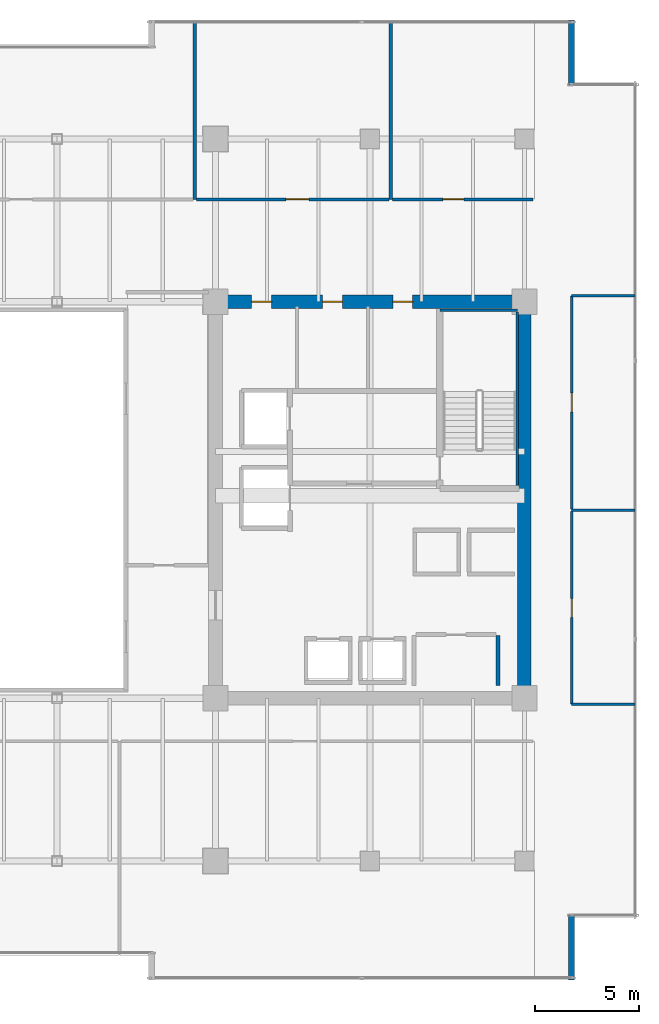
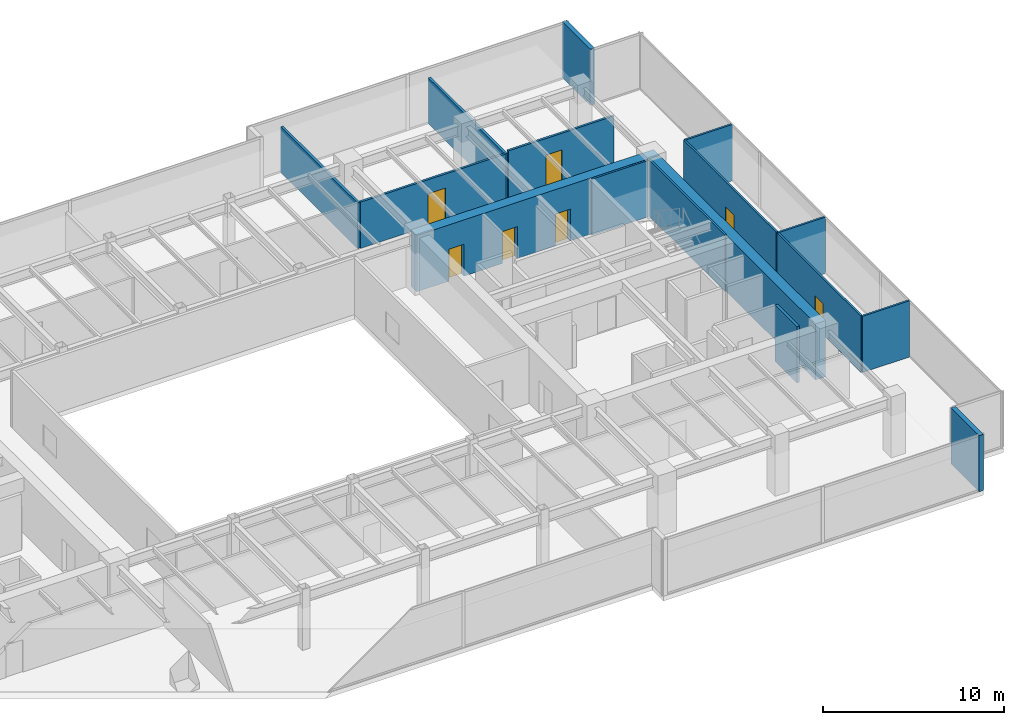
# One storey, part 28 of 33: 16 walls, 7 doors, 7 openings.
"""IFC4 building model written with IfcOpenShell, lengths in metres."""

from ifc_helpers import new_model, si_unit, direction, frame, frame_2d, origin, place, context, subcontext, project, spatial, rectangle, extrude, source, transform, mapped, material, layer, layer_set, type_object, type_shapes, element, fill, save


model = new_model("IFC4")

# Units and contexts
model_context = context("Model", 3, precision=1e-05, world=origin(), true_north=direction((0.0, 1.0)))
body_context = subcontext(model_context, "Body", "Model", "MODEL_VIEW")
ifc_project = project(units=[si_unit("LENGTHUNIT", "METRE"), si_unit("AREAUNIT", "SQUARE_METRE"), si_unit("VOLUMEUNIT", "CUBIC_METRE"), si_unit("PLANEANGLEUNIT", "RADIAN"), si_unit("MASSUNIT", "GRAM", prefix="KILO")], contexts=[model_context])

# Site, building, storey
site_placement = place(None, origin())
site = spatial("IfcSite", under=ifc_project, at=site_placement, CompositionType="ELEMENT")
building_placement = place(site_placement, origin())
building = spatial("IfcBuilding", under=site, at=building_placement, Name="Haelvirn Gate Laboratories", CompositionType="ELEMENT")
storey_placement = place(building_placement, frame((0.0, 0.0, 133.800048828125)))
storey = spatial("IfcBuildingStorey", under=building, at=storey_placement, Name="L32", CompositionType="ELEMENT", Elevation=133.800048828125)

# Walls
ifc_material_1 = material(Name="Thermally-broken bronze aluminium rainscreen & mineral wool", Category="aluminium")
ifc_layer_1 = layer(ifc_material_1, 0.280029296875, Name="EW-TERR-280")
ifc_layer_set_1 = layer_set([ifc_layer_1], Name="Thermally-broken bronze aluminium rainscreen & mineral wool")
wall_type_1 = type_object("IfcWallType", Name="EW-TERR-280", PredefinedType="STANDARD", material=ifc_layer_set_1)
wall_1_placement = place(storey_placement, frame((69.659912109375, 1.300048828125, 0.0), z_axis=(0.0, 0.0, 1.0), x_axis=(0.0, 1.0, 0.0)))
element("IfcWall", 1, at=wall_1_placement, inside=storey, type_object=wall_type_1, Name="L32 Atrium Recess Bronze Return Wall 05", PredefinedType="STANDARD", context=body_context, shape_type="SweptSolid", body=[
    extrude(rectangle(XDim=3.087890625, YDim=0.280029296875, at=frame_2d((1.5439453125, 0.0))), origin(), (0.0, 0.0, 1.0), 3.7900390625),
])
wall_2_placement = place(storey_placement, frame((69.659912109375, 44.2119140625, 0.0), z_axis=(0.0, 0.0, 1.0), x_axis=(0.0, 1.0, 0.0)))
element("IfcWall", 2, at=wall_2_placement, inside=storey, type_object=wall_type_1, Name="L32 Atrium Recess Bronze Return Wall 09", PredefinedType="STANDARD", context=body_context, shape_type="SweptSolid", body=[
    extrude(rectangle(XDim=3.088134765625, YDim=0.280029296875, at=frame_2d((1.5439453125, 0.0))), origin(), (0.0, 0.0, 1.0), 3.7900390625),
])
ifc_material_2 = material(Name="Double-layer acoustic gypsum laboratory partition", Category="gypsum")
ifc_layer_2 = layer(ifc_material_2, 0.159912109375, Name="IW-ACOUST-160")
ifc_layer_set_2 = layer_set([ifc_layer_2], Name="Double-layer acoustic gypsum laboratory partition")
wall_type_2 = type_object("IfcWallType", Name="IW-ACOUST-160", PredefinedType="PARTITIONING", material=ifc_layer_set_2)
for number, where, z_axis, x_axis, name in (
    (3, (51.60009765625, 38.705078125, 0.0), (0.0, 0.0, 1.0), (0.0, 1.0, 0.0), "L32 Interior Wall IW-L32-NDIV-04"),
    (4, (61.0, 38.705078125, 0.0), (0.0, 0.0, 1.0), (0.0, 1.0, 0.0), "L32 Interior Wall IW-L32-NDIV-05"),
):
    element("IfcWall", number, at=place(storey_placement, frame(where, z_axis=z_axis, x_axis=x_axis)), inside=storey, type_object=wall_type_2, Name=name, PredefinedType="PARTITIONING", context=body_context, shape_type="SweptSolid", body=[
        extrude(rectangle(XDim=8.48486328125, YDim=0.159912109375, at=frame_2d((4.242431640625, 0.0))), origin(), (0.0, 0.0, 1.0), 3.074951171875),
    ])
ifc_material_3 = material(Name="Lightweight acoustic gypsum board partition", Category="gypsum")
ifc_layer_3 = layer(ifc_material_3, 0.1201171875, Name="IW-PART-120")
ifc_layer_set_3 = layer_set([ifc_layer_3], Name="Lightweight acoustic gypsum board partition")
wall_type_3 = type_object("IfcWallType", Name="IW-PART-120", PredefinedType="PARTITIONING", material=ifc_layer_set_3)
for number, where, z_axis, x_axis, name in (
    (5, (69.669921875, 14.514892578125, 0.0), (0.0, 0.0, 1.0), (1.0, 0.0, 0.0), "L32 Interior Wall IW-L32-ECAP-S"),
    (6, (69.669921875, 34.0849609375, 0.0), (0.0, 0.0, 1.0), (1.0, 0.0, 0.0), "L32 Interior Wall IW-L32-ECAP-N"),
):
    element("IfcWall", number, at=place(storey_placement, frame(where, z_axis=z_axis, x_axis=x_axis)), inside=storey, type_object=wall_type_3, Name=name, PredefinedType="PARTITIONING", context=body_context, shape_type="SweptSolid", body=[
        extrude(rectangle(XDim=3.02001953125, YDim=0.1201171875, at=frame_2d((1.510009765625, 0.0))), origin(), (0.0, 0.0, 1.0), 3.7900390625),
    ])

# Wall, opening, door
wall_3_placement = place(storey_placement, frame((69.669921875, 14.514892578125, 0.0), z_axis=(0.0, 0.0, 1.0), x_axis=(0.0, 1.0, 0.0)))
wall_3 = element("IfcWall", 7, at=wall_3_placement, inside=storey, type_object=wall_type_3, Name="L32 Interior Wall IW-L32-EPASS-01", PredefinedType="PARTITIONING", context=body_context, shape_type="SweptSolid", body=[
    extrude(rectangle(XDim=9.22509765625, YDim=0.1201171875, at=frame_2d((4.612548828125, 0.0))), origin(), (0.0, 0.0, 1.0), 3.7900390625),
])
opening_1_placement = place(wall_3_placement, frame((4.16259765625, 0.0, 0.0)))
opening_1 = element("IfcOpeningElement", 8, at=opening_1_placement, cuts=wall_3, Name="Opening D4", PredefinedType="OPENING", context=body_context, shape_type="SweptSolid", body=[
    extrude(rectangle(XDim=0.89990234375, YDim=2.10009765625, at=frame_2d((0.449951171875, 1.050048828125))), frame((0.0, 0.070068359375, 0.0), z_axis=(0.0, -1.0, 0.0), x_axis=(1.0, 0.0, 0.0)), (0.0, 0.0, 1.0), 0.14013671875),
])
ifc_material_4 = material(Name="Glazed aluminium-framed write-up door", Category="aluminium")
door_type_1 = type_object("IfcDoorType", Name="DR-OFF-900", OperationType="NOTDEFINED", PredefinedType="DOOR", material=ifc_material_4)
shared_shape_1 = source(origin(), body_context, "Body", "SweptSolid", [
    extrude(rectangle(XDim=0.89990234375, YDim=2.10009765625, at=frame_2d((0.449951171875, 1.050048828125))), frame((0.0, 0.02490234375, 0.0), z_axis=(0.0, -1.0, 0.0), x_axis=(1.0, 0.0, 0.0)), (0.0, 0.0, 1.0), 0.050048828125),
])
type_shapes(door_type_1, [shared_shape_1])
door_1_placement = place(opening_1_placement, origin())
door_1 = element("IfcDoor", 9, at=door_1_placement, inside=storey, type_object=door_type_1, Name="L32 Bioprocess Foundry Laboratory Door E1", OperationType="SINGLE_SWING_LEFT", OverallHeight=2.10009765625, OverallWidth=0.89990234375, PredefinedType="DOOR", context=body_context, shape_type="MappedRepresentation", body=[
    mapped(shared_shape_1, transform((0.0, 0.0, 0.0), scale=1.0)),
])
fill(opening_1, door_1)

# Wall
wall_4_placement = place(storey_placement, frame((69.669921875, 23.800048828125, 0.0), z_axis=(0.0, 0.0, 1.0), x_axis=(1.0, 0.0, 0.0)))
element("IfcWall", 10, at=wall_4_placement, inside=storey, type_object=wall_type_3, Name="L32 Interior Wall IW-L32-EDIV-01", PredefinedType="PARTITIONING", context=body_context, shape_type="SweptSolid", body=[
    extrude(rectangle(XDim=3.02001953125, YDim=0.1201171875, at=frame_2d((1.510009765625, 0.0))), origin(), (0.0, 0.0, 1.0), 3.7900390625),
])

# Wall, opening, door
wall_5_placement = place(storey_placement, frame((69.669921875, 23.860107421875, 0.0), z_axis=(0.0, 0.0, 1.0), x_axis=(0.0, 1.0, 0.0)))
wall_5 = element("IfcWall", 11, at=wall_5_placement, inside=storey, type_object=wall_type_3, Name="L32 Interior Wall IW-L32-EPASS-02", PredefinedType="PARTITIONING", context=body_context, shape_type="SweptSolid", body=[
    extrude(rectangle(XDim=10.224853515625, YDim=0.1201171875, at=frame_2d((5.1123046875, 0.0))), origin(), (0.0, 0.0, 1.0), 3.7900390625),
])
opening_2_placement = place(wall_5_placement, frame((4.66259765625, 0.0, 0.0)))
opening_2 = element("IfcOpeningElement", 12, at=opening_2_placement, cuts=wall_5, Name="Opening D4", PredefinedType="OPENING", context=body_context, shape_type="SweptSolid", body=[
    extrude(rectangle(XDim=0.89990234375, YDim=2.10009765625, at=frame_2d((0.449951171875, 1.050048828125))), frame((0.0, 0.070068359375, 0.0), z_axis=(0.0, -1.0, 0.0), x_axis=(1.0, 0.0, 0.0)), (0.0, 0.0, 1.0), 0.14013671875),
])
door_2_placement = place(opening_2_placement, origin())
door_2 = element("IfcDoor", 13, at=door_2_placement, inside=storey, type_object=door_type_1, Name="L32 Genomics Assay Laboratory Door E2", OperationType="SINGLE_SWING_RIGHT", OverallHeight=2.10009765625, OverallWidth=0.89990234375, PredefinedType="DOOR", context=body_context, shape_type="MappedRepresentation", body=[
    mapped(shared_shape_1, transform((0.0, 0.0, 0.0), scale=1.0)),
])
fill(opening_2, door_2)

ifc_material_5 = material(Name="Acoustic mineral-wool gypsum board partition", Category="gypsum")
ifc_layer_4 = layer(ifc_material_5, 0.139892578125, Name="IW-PART-140")
ifc_layer_set_4 = layer_set([ifc_layer_4], Name="Acoustic mineral-wool gypsum board partition")
wall_type_4 = type_object("IfcWallType", Name="IW-PART-140", PredefinedType="PARTITIONING", material=ifc_layer_set_4)
wall_6_placement = place(storey_placement, frame((51.679931640625, 38.705078125, 0.0), z_axis=(0.0, 0.0, 1.0), x_axis=(1.0, 0.0, 0.0)))
wall_6 = element("IfcWall", 14, at=wall_6_placement, inside=storey, type_object=wall_type_4, Name="L32 Interior Wall IW-L32-NCORR-05", PredefinedType="PARTITIONING", context=body_context, shape_type="SweptSolid", body=[
    extrude(rectangle(XDim=9.239990234375, YDim=0.139892578125, at=frame_2d((4.6201171875, 0.0))), origin(), (0.0, 0.0, 1.0), 3.125),
])
opening_3_placement = place(wall_6_placement, frame((4.293212890625, 0.0, 0.0)))
opening_3 = element("IfcOpeningElement", 15, at=opening_3_placement, cuts=wall_6, Name="Opening D1", PredefinedType="OPENING", context=body_context, shape_type="SweptSolid", body=[
    extrude(rectangle(XDim=1.10009765625, YDim=2.179931640625, at=frame_2d((0.550048828125, 1.08984375))), frame((0.0, 0.080078125, 0.0), z_axis=(0.0, -1.0, 0.0), x_axis=(1.0, 0.0, 0.0)), (0.0, 0.0, 1.0), 0.159912109375),
])
ifc_material_6 = material(Name="Vision-panel acoustic solid-core timber lab door", Category="wood")
door_type_2 = type_object("IfcDoorType", Name="DR-LAB-1100", OperationType="NOTDEFINED", PredefinedType="DOOR", material=ifc_material_6)
shared_shape_2 = source(origin(), body_context, "Body", "SweptSolid", [
    extrude(rectangle(XDim=1.10009765625, YDim=2.179931640625, at=frame_2d((0.550048828125, 1.08984375))), frame((0.0, 0.02490234375, 0.0), z_axis=(0.0, -1.0, 0.0), x_axis=(1.0, 0.0, 0.0)), (0.0, 0.0, 1.0), 0.050048828125),
])
type_shapes(door_type_2, [shared_shape_2])
door_3_placement = place(opening_3_placement, origin())
door_3 = element("IfcDoor", 16, at=door_3_placement, inside=storey, type_object=door_type_2, Name="L32 Floor Hydration & Tea Servery Door N5", OperationType="SINGLE_SWING_RIGHT", OverallHeight=2.179931640625, OverallWidth=1.10009765625, PredefinedType="DOOR", context=body_context, shape_type="MappedRepresentation", body=[
    mapped(shared_shape_2, transform((0.0, 0.0, 0.0), scale=1.0)),
])
fill(opening_3, door_3)

wall_7_placement = place(storey_placement, frame((61.080078125, 38.705078125, 0.0), z_axis=(0.0, 0.0, 1.0), x_axis=(1.0, 0.0, 0.0)))
wall_7 = element("IfcWall", 17, at=wall_7_placement, inside=storey, type_object=wall_type_4, Name="L32 Interior Wall IW-L32-NCORR-06", PredefinedType="PARTITIONING", context=body_context, shape_type="SweptSolid", body=[
    extrude(rectangle(XDim=6.739990234375, YDim=0.139892578125, at=frame_2d((3.3701171875, 0.0))), origin(), (0.0, 0.0, 1.0), 3.27490234375),
])
opening_4_placement = place(wall_7_placement, frame((2.41650390625, 0.0, 0.0)))
opening_4 = element("IfcOpeningElement", 18, at=opening_4_placement, cuts=wall_7, Name="Opening D2", PredefinedType="OPENING", context=body_context, shape_type="SweptSolid", body=[
    extrude(rectangle(XDim=1.0, YDim=2.14990234375, at=frame_2d((0.5, 1.074951171875))), frame((0.0, 0.080078125, 0.0), z_axis=(0.0, -1.0, 0.0), x_axis=(1.0, 0.0, 0.0)), (0.0, 0.0, 1.0), 0.159912109375),
])
ifc_material_7 = material(Name="Acoustic solid-core timber suite door", Category="wood")
door_type_3 = type_object("IfcDoorType", Name="DR-INT-1000", OperationType="NOTDEFINED", PredefinedType="DOOR", material=ifc_material_7)
shared_shape_3 = source(origin(), body_context, "Body", "SweptSolid", [
    extrude(rectangle(XDim=1.0, YDim=2.14990234375, at=frame_2d((0.5, 1.074951171875))), frame((0.0, 0.02490234375, 0.0), z_axis=(0.0, -1.0, 0.0), x_axis=(1.0, 0.0, 0.0)), (0.0, 0.0, 1.0), 0.050048828125),
])
type_shapes(door_type_3, [shared_shape_3])
door_4_placement = place(opening_4_placement, origin())
door_4 = element("IfcDoor", 19, at=door_4_placement, inside=storey, type_object=door_type_3, Name="L32 Genomics Assay Laboratory Door N6", OperationType="SINGLE_SWING_LEFT", OverallHeight=2.14990234375, OverallWidth=1.0, PredefinedType="DOOR", context=body_context, shape_type="MappedRepresentation", body=[
    mapped(shared_shape_3, transform((0.0, 0.0, 0.0), scale=1.0)),
])
fill(opening_4, door_4)

# Wall
ifc_material_8 = material(Name="Concrete C40/50", Category="concrete")
ifc_layer_5 = layer(ifc_material_8, 0.179931640625, Name="IW-SHAFT-180")
ifc_layer_set_5 = layer_set([ifc_layer_5], Name="Concrete C40/50")
wall_type_5 = type_object("IfcWallType", Name="IW-SHAFT-180", PredefinedType="SOLIDWALL", material=ifc_layer_set_5)
wall_8_placement = place(storey_placement, frame((66.139892578125, 15.39990234375, 0.0), z_axis=(0.0, 0.0, 1.0), x_axis=(0.0, 1.0, 0.0)))
element("IfcWall", 20, at=wall_8_placement, inside=storey, type_object=wall_type_5, Name="L32 Interior Wall IW-L32-E-FREED-LW-1", PredefinedType="SOLIDWALL", context=body_context, shape_type="SweptSolid", body=[
    extrude(rectangle(XDim=2.400146484375, YDim=0.179931640625, at=frame_2d((1.2001953125, 0.0))), origin(), (0.0, 0.0, 1.0), 3.7900390625),
])

# Wall, openings, doors
ifc_material_9 = material(Name="Concrete C60/75", Category="concrete")
ifc_layer_6 = layer(ifc_material_9, 0.64990234375, Name="SW-CORE-650")
ifc_layer_set_6 = layer_set([ifc_layer_6], Name="Concrete C60/75")
wall_type_6 = type_object("IfcWallType", Name="SW-CORE-650", PredefinedType="SHEAR", material=ifc_layer_set_6)
wall_9_placement = place(storey_placement, frame((52.27490234375, 33.800048828125, 0.0), z_axis=(0.0, 0.0, 1.0), x_axis=(1.0, 0.0, 0.0)))
wall_9 = element("IfcWall", 21, at=wall_9_placement, inside=storey, type_object=wall_type_6, Name="L32 E Core Shear Wall N", PredefinedType="SHEAR", context=body_context, shape_type="SweptSolid", body=[
    extrude(rectangle(XDim=15.4501953125, YDim=0.64990234375, at=frame_2d((7.72509765625, 0.0))), origin(), (0.0, 0.0, 1.0), 3.7900390625),
])
opening_5_placement = place(wall_9_placement, frame((8.824951171875, 0.0, 0.0)))
opening_5 = element("IfcOpeningElement", 22, at=opening_5_placement, cuts=wall_9, Name="Opening FD4", PredefinedType="OPENING", context=body_context, shape_type="SweptSolid", body=[
    extrude(rectangle(XDim=0.949951171875, YDim=2.14990234375, at=frame_2d((0.47509765625, 1.074951171875))), frame((0.0, 0.3349609375, 0.0), z_axis=(0.0, -1.0, 0.0), x_axis=(1.0, 0.0, 0.0)), (0.0, 0.0, 1.0), 0.669921875),
])
opening_6_placement = place(wall_9_placement, frame((5.4599609375, 0.0, 0.0)))
opening_6 = element("IfcOpeningElement", 23, at=opening_6_placement, cuts=wall_9, Name="Opening FD4", PredefinedType="OPENING", context=body_context, shape_type="SweptSolid", body=[
    extrude(rectangle(XDim=0.949951171875, YDim=2.14990234375, at=frame_2d((0.47509765625, 1.074951171875))), frame((0.0, 0.3349609375, 0.0), z_axis=(0.0, -1.0, 0.0), x_axis=(1.0, 0.0, 0.0)), (0.0, 0.0, 1.0), 0.669921875),
])
opening_7_placement = place(wall_9_placement, frame((2.06005859375, 0.0, 0.0)))
opening_7 = element("IfcOpeningElement", 24, at=opening_7_placement, cuts=wall_9, Name="Opening FD4", PredefinedType="OPENING", context=body_context, shape_type="SweptSolid", body=[
    extrude(rectangle(XDim=0.949951171875, YDim=2.14990234375, at=frame_2d((0.47509765625, 1.074951171875))), frame((0.0, 0.3349609375, 0.0), z_axis=(0.0, -1.0, 0.0), x_axis=(1.0, 0.0, 0.0)), (0.0, 0.0, 1.0), 0.669921875),
])
ifc_material_10 = material(Name="Fire-rated steel SM355 core service door", Category="steel")
door_type_4 = type_object("IfcDoorType", Name="DR-FD-950", OperationType="NOTDEFINED", PredefinedType="DOOR", material=ifc_material_10)
shared_shape_4 = source(origin(), body_context, "Body", "SweptSolid", [
    extrude(rectangle(XDim=0.949951171875, YDim=2.14990234375, at=frame_2d((0.47509765625, 1.074951171875))), frame((0.0, 0.02490234375, 0.0), z_axis=(0.0, -1.0, 0.0), x_axis=(1.0, 0.0, 0.0)), (0.0, 0.0, 1.0), 0.050048828125),
])
type_shapes(door_type_4, [shared_shape_4])
door_5_placement = place(opening_5_placement, origin())
door_5 = element("IfcDoor", 25, at=door_5_placement, inside=storey, type_object=door_type_4, Name="L32 Male Restroom Fire Door", OperationType="SINGLE_SWING_LEFT", OverallHeight=2.14990234375, OverallWidth=0.949951171875, PredefinedType="DOOR", context=body_context, shape_type="MappedRepresentation", body=[
    mapped(shared_shape_4, transform((0.0, 0.0, 0.0), scale=1.0)),
])
fill(opening_5, door_5)
door_6_placement = place(opening_6_placement, origin())
door_6 = element("IfcDoor", 26, at=door_6_placement, inside=storey, type_object=door_type_4, Name="L32 Female Restroom Fire Door", OperationType="SINGLE_SWING_RIGHT", OverallHeight=2.14990234375, OverallWidth=0.949951171875, PredefinedType="DOOR", context=body_context, shape_type="MappedRepresentation", body=[
    mapped(shared_shape_4, transform((0.0, 0.0, 0.0), scale=1.0)),
])
fill(opening_6, door_6)
door_7_placement = place(opening_7_placement, origin())
door_7 = element("IfcDoor", 27, at=door_7_placement, inside=storey, type_object=door_type_4, Name="L32 Accessible Restroom Fire Door", OperationType="SINGLE_SWING_LEFT", OverallHeight=2.14990234375, OverallWidth=0.949951171875, PredefinedType="DOOR", context=body_context, shape_type="MappedRepresentation", body=[
    mapped(shared_shape_4, transform((0.0, 0.0, 0.0), scale=1.0)),
])
fill(opening_7, door_7)

# Walls
wall_10_placement = place(storey_placement, frame((67.39990234375, 15.125, 0.0), z_axis=(0.0, 0.0, 1.0), x_axis=(0.0, 1.0, 0.0)))
element("IfcWall", 28, at=wall_10_placement, inside=storey, type_object=wall_type_6, Name="L32 E Core Shear Wall E", PredefinedType="SHEAR", context=body_context, shape_type="SweptSolid", body=[
    extrude(rectangle(XDim=18.35009765625, YDim=0.64990234375, at=frame_2d((9.175048828125, 0.0))), origin(), (0.0, 0.0, 1.0), 3.7900390625),
])
ifc_material_11 = material(Name="Concrete C50/60", Category="concrete")
ifc_layer_7 = layer(ifc_material_11, 0.1201171875, Name="SW-LINER-120")
ifc_layer_set_7 = layer_set([ifc_layer_7], Name="Concrete C50/60")
wall_type_7 = type_object("IfcWallType", Name="SW-LINER-120", PredefinedType="SOLIDWALL", material=ifc_layer_set_7)
wall_11_placement = place(storey_placement, frame((63.35009765625, 33.39990234375, 0.0), z_axis=(0.0, 0.0, 1.0), x_axis=(1.0, 0.0, 0.0)))
element("IfcWall", 29, at=wall_11_placement, inside=storey, type_object=wall_type_7, Name="L32 E Core Stair Shaft Liner Wall N", PredefinedType="SOLIDWALL", context=body_context, shape_type="SweptSolid", body=[
    extrude(rectangle(XDim=3.719970703125, YDim=0.1201171875, at=frame_2d((1.85986328125, 0.0))), origin(), (0.0, 0.0, 1.0), 3.7900390625),
])
wall_12_placement = place(storey_placement, frame((67.070068359375, 25.0, 0.0), z_axis=(0.0, 0.0, 1.0), x_axis=(0.0, 1.0, 0.0)))
element("IfcWall", 30, at=wall_12_placement, inside=storey, type_object=wall_type_7, Name="L32 E Core Stair Shaft Liner Wall OUT", PredefinedType="SOLIDWALL", context=body_context, shape_type="SweptSolid", body=[
    extrude(rectangle(XDim=8.320068359375, YDim=0.1201171875, at=frame_2d((4.16015625, 0.0))), origin(), (0.0, 0.0, 1.0), 3.7900390625),
])

save(model, "model.ifc")
